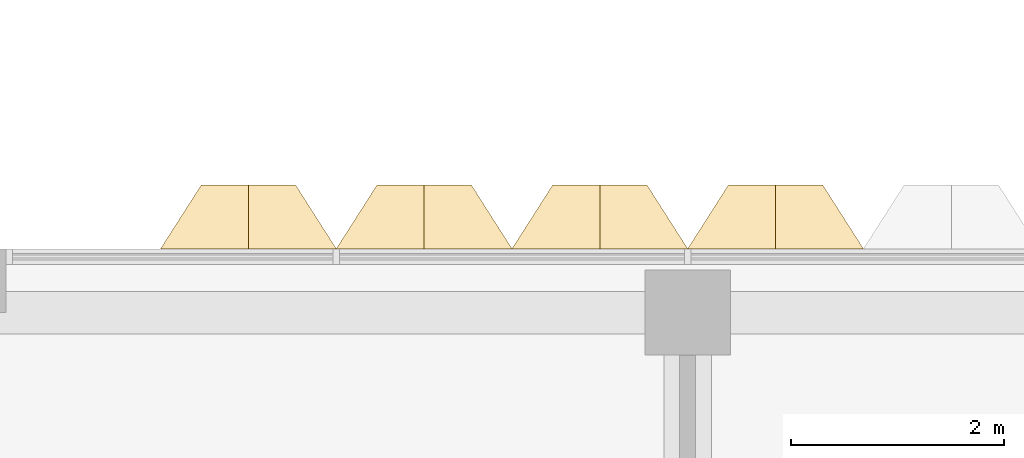
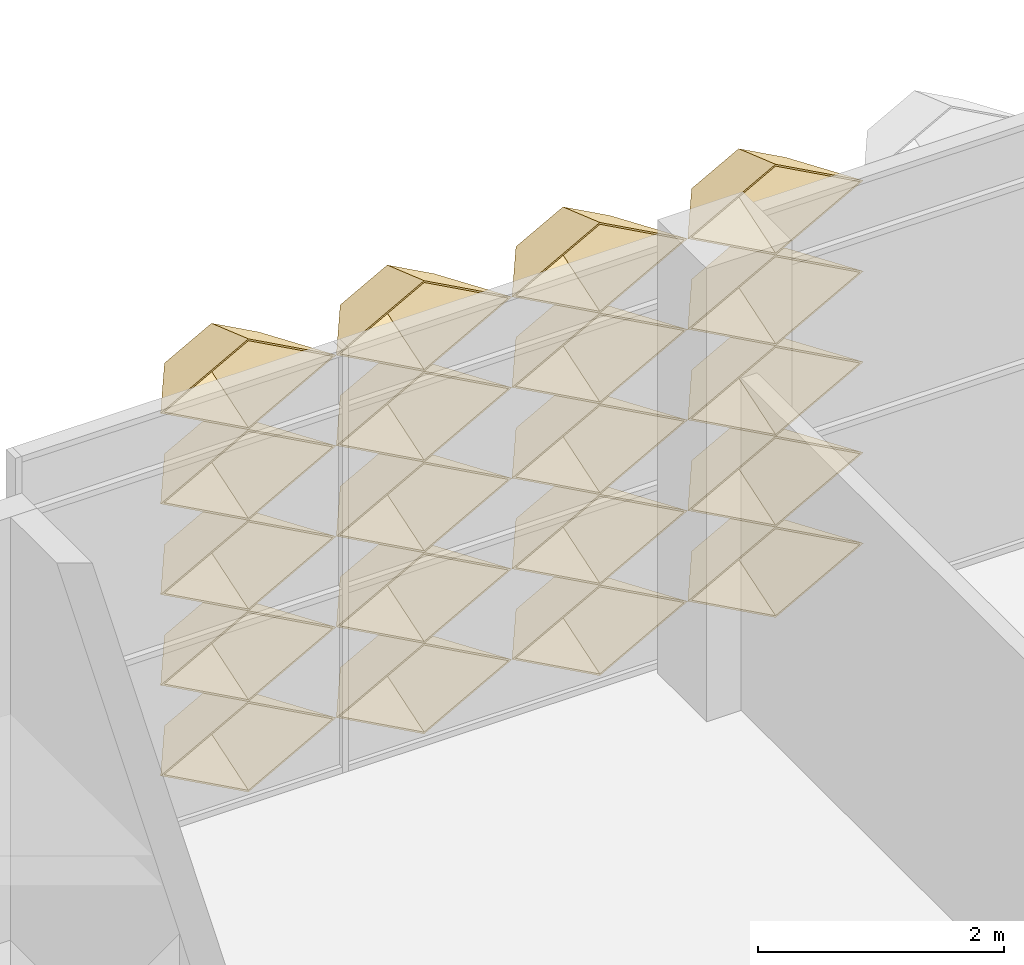
# One storey, part 66 of 102: 20 coverings.
"""IFC4 building model written with IfcOpenShell, lengths in metres."""

from ifc_helpers import new_model, entity, si_unit, direction, frame, origin, place, context, subcontext, project, spatial, material, layer, layer_set, type_object, element, save


model = new_model("IFC4")

# Units and contexts
model_context = context("Model", 3, precision=1e-05, world=origin(), true_north=direction((0.0, 1.0)))
body_context = subcontext(model_context, "Body", "Model", "MODEL_VIEW")
ifc_project = project(units=[si_unit("LENGTHUNIT", "METRE"), si_unit("AREAUNIT", "SQUARE_METRE"), si_unit("VOLUMEUNIT", "CUBIC_METRE"), si_unit("PLANEANGLEUNIT", "RADIAN"), si_unit("MASSUNIT", "GRAM", prefix="KILO")], contexts=[model_context])

# Site, building, storey
site_placement = place(None, origin())
site = spatial("IfcSite", under=ifc_project, at=site_placement, CompositionType="ELEMENT")
building_placement = place(site_placement, origin())
building = spatial("IfcBuilding", under=site, at=building_placement, Name="Lantern Court Research Institute", CompositionType="ELEMENT")
storey_placement = place(building_placement, frame((0.0, 0.0, 9.89990234375)))
storey = spatial("IfcBuildingStorey", under=building, at=storey_placement, Name="L02", CompositionType="ELEMENT", Elevation=9.89990234375)

# Coverings
ifc_material = material(Name="Anodised aluminium", Category="aluminium")
ifc_layer = layer(ifc_material, 0.01611328125)
ifc_layer_set = layer_set([ifc_layer], Name="Anodised aluminium")
covering_type = type_object("IfcCoveringType", Name="Fin cassette 1650 x 900 x 600 aluminium", PredefinedType="CLADDING", material=ifc_layer_set)
covering_1_placement = place(storey_placement, frame((9.074951171875, 23.699951171875, 0.4501953125), z_axis=(0.0, 1.0, 0.0), x_axis=(-1.0, 0.0, 0.0)))
cartesian_point_1 = entity("IfcCartesianPoint", [0.824951171875, 0.0])
cartesian_point_2 = entity("IfcCartesianPoint", [0.79150390625, 0.0])
cartesian_point_3 = entity("IfcCartesianPoint", [0.44189453125, 0.0])
cartesian_point_4 = entity("IfcCartesianPoint", [0.43359375, 0.0])
element("IfcCovering", 1, at=covering_1_placement, inside=storey, type_object=covering_type, Name="Fin cassette V4N-L02 1.6", PredefinedType="CLADDING", context=body_context, shape_type="SweptSolid", body=[
    entity("IfcExtrudedAreaSolidTapered", entity("IfcArbitraryProfileDefWithVoids", "AREA", None, entity("IfcPolyline", [cartesian_point_1, entity("IfcCartesianPoint", [0.0, 0.449951171875]), entity("IfcCartesianPoint", [-0.824951171875, 0.0]), entity("IfcCartesianPoint", [0.0, -0.449951171875]), cartesian_point_1]), [entity("IfcPolyline", [cartesian_point_2, entity("IfcCartesianPoint", [0.0, 0.431884765625]), entity("IfcCartesianPoint", [-0.79150390625, 0.0]), entity("IfcCartesianPoint", [0.0, -0.431884765625]), cartesian_point_2])]), entity("IfcAxis2Placement3D", entity("IfcCartesianPoint", [0.0, 0.0, 0.0])), entity("IfcDirection", [0.0, 0.0, 1.0]), 0.60009765625, entity("IfcArbitraryProfileDefWithVoids", "AREA", None, entity("IfcPolyline", [cartesian_point_3, entity("IfcCartesianPoint", [0.0, 0.240966796875]), entity("IfcCartesianPoint", [-0.44189453125, 0.0]), entity("IfcCartesianPoint", [0.0, -0.240966796875]), cartesian_point_3]), [entity("IfcPolyline", [cartesian_point_4, entity("IfcCartesianPoint", [0.0, 0.236572265625]), entity("IfcCartesianPoint", [-0.43359375, 0.0]), entity("IfcCartesianPoint", [0.0, -0.236572265625]), cartesian_point_4])])),
])
covering_2_placement = place(storey_placement, frame((10.72509765625, 23.699951171875, 0.4501953125), z_axis=(0.0, 1.0, 0.0), x_axis=(-1.0, 0.0, 0.0)))
cartesian_point_5 = entity("IfcCartesianPoint", [0.824951171875, 0.0])
cartesian_point_6 = entity("IfcCartesianPoint", [0.79150390625, 0.0])
cartesian_point_7 = entity("IfcCartesianPoint", [0.44189453125, 0.0])
cartesian_point_8 = entity("IfcCartesianPoint", [0.43359375, 0.0])
element("IfcCovering", 2, at=covering_2_placement, inside=storey, type_object=covering_type, Name="Fin cassette V4N-L02 1.7", PredefinedType="CLADDING", context=body_context, shape_type="SweptSolid", body=[
    entity("IfcExtrudedAreaSolidTapered", entity("IfcArbitraryProfileDefWithVoids", "AREA", None, entity("IfcPolyline", [cartesian_point_5, entity("IfcCartesianPoint", [0.0, 0.449951171875]), entity("IfcCartesianPoint", [-0.824951171875, 0.0]), entity("IfcCartesianPoint", [0.0, -0.449951171875]), cartesian_point_5]), [entity("IfcPolyline", [cartesian_point_6, entity("IfcCartesianPoint", [0.0, 0.431884765625]), entity("IfcCartesianPoint", [-0.79150390625, 0.0]), entity("IfcCartesianPoint", [0.0, -0.431884765625]), cartesian_point_6])]), entity("IfcAxis2Placement3D", entity("IfcCartesianPoint", [0.0, 0.0, 0.0])), entity("IfcDirection", [0.0, 0.0, 1.0]), 0.60009765625, entity("IfcArbitraryProfileDefWithVoids", "AREA", None, entity("IfcPolyline", [cartesian_point_7, entity("IfcCartesianPoint", [0.0, 0.240966796875]), entity("IfcCartesianPoint", [-0.44189453125, 0.0]), entity("IfcCartesianPoint", [0.0, -0.240966796875]), cartesian_point_7]), [entity("IfcPolyline", [cartesian_point_8, entity("IfcCartesianPoint", [0.0, 0.236572265625]), entity("IfcCartesianPoint", [-0.43359375, 0.0]), entity("IfcCartesianPoint", [0.0, -0.236572265625]), cartesian_point_8])])),
])
covering_3_placement = place(storey_placement, frame((12.375, 23.699951171875, 0.4501953125), z_axis=(0.0, 1.0, 0.0), x_axis=(-1.0, 0.0, 0.0)))
cartesian_point_9 = entity("IfcCartesianPoint", [0.824951171875, 0.0])
cartesian_point_10 = entity("IfcCartesianPoint", [0.79150390625, 0.0])
cartesian_point_11 = entity("IfcCartesianPoint", [0.44189453125, 0.0])
cartesian_point_12 = entity("IfcCartesianPoint", [0.43359375, 0.0])
element("IfcCovering", 3, at=covering_3_placement, inside=storey, type_object=covering_type, Name="Fin cassette V4N-L02 1.8", PredefinedType="CLADDING", context=body_context, shape_type="SweptSolid", body=[
    entity("IfcExtrudedAreaSolidTapered", entity("IfcArbitraryProfileDefWithVoids", "AREA", None, entity("IfcPolyline", [cartesian_point_9, entity("IfcCartesianPoint", [0.0, 0.449951171875]), entity("IfcCartesianPoint", [-0.824951171875, 0.0]), entity("IfcCartesianPoint", [0.0, -0.449951171875]), cartesian_point_9]), [entity("IfcPolyline", [cartesian_point_10, entity("IfcCartesianPoint", [0.0, 0.431884765625]), entity("IfcCartesianPoint", [-0.79150390625, 0.0]), entity("IfcCartesianPoint", [0.0, -0.431884765625]), cartesian_point_10])]), entity("IfcAxis2Placement3D", entity("IfcCartesianPoint", [0.0, 0.0, 0.0])), entity("IfcDirection", [0.0, 0.0, 1.0]), 0.60009765625, entity("IfcArbitraryProfileDefWithVoids", "AREA", None, entity("IfcPolyline", [cartesian_point_11, entity("IfcCartesianPoint", [0.0, 0.240966796875]), entity("IfcCartesianPoint", [-0.44189453125, 0.0]), entity("IfcCartesianPoint", [0.0, -0.240966796875]), cartesian_point_11]), [entity("IfcPolyline", [cartesian_point_12, entity("IfcCartesianPoint", [0.0, 0.236572265625]), entity("IfcCartesianPoint", [-0.43359375, 0.0]), entity("IfcCartesianPoint", [0.0, -0.236572265625]), cartesian_point_12])])),
])
covering_4_placement = place(storey_placement, frame((14.02490234375, 23.699951171875, 0.4501953125), z_axis=(0.0, 1.0, 0.0), x_axis=(-1.0, 0.0, 0.0)))
cartesian_point_13 = entity("IfcCartesianPoint", [0.824951171875, 0.0])
cartesian_point_14 = entity("IfcCartesianPoint", [0.79150390625, 0.0])
cartesian_point_15 = entity("IfcCartesianPoint", [0.44189453125, 0.0])
cartesian_point_16 = entity("IfcCartesianPoint", [0.43359375, 0.0])
element("IfcCovering", 4, at=covering_4_placement, inside=storey, type_object=covering_type, Name="Fin cassette V4N-L02 1.9", PredefinedType="CLADDING", context=body_context, shape_type="SweptSolid", body=[
    entity("IfcExtrudedAreaSolidTapered", entity("IfcArbitraryProfileDefWithVoids", "AREA", None, entity("IfcPolyline", [cartesian_point_13, entity("IfcCartesianPoint", [0.0, 0.449951171875]), entity("IfcCartesianPoint", [-0.824951171875, 0.0]), entity("IfcCartesianPoint", [0.0, -0.449951171875]), cartesian_point_13]), [entity("IfcPolyline", [cartesian_point_14, entity("IfcCartesianPoint", [0.0, 0.431884765625]), entity("IfcCartesianPoint", [-0.79150390625, 0.0]), entity("IfcCartesianPoint", [0.0, -0.431884765625]), cartesian_point_14])]), entity("IfcAxis2Placement3D", entity("IfcCartesianPoint", [0.0, 0.0, 0.0])), entity("IfcDirection", [0.0, 0.0, 1.0]), 0.60009765625, entity("IfcArbitraryProfileDefWithVoids", "AREA", None, entity("IfcPolyline", [cartesian_point_15, entity("IfcCartesianPoint", [0.0, 0.240966796875]), entity("IfcCartesianPoint", [-0.44189453125, 0.0]), entity("IfcCartesianPoint", [0.0, -0.240966796875]), cartesian_point_15]), [entity("IfcPolyline", [cartesian_point_16, entity("IfcCartesianPoint", [0.0, 0.236572265625]), entity("IfcCartesianPoint", [-0.43359375, 0.0]), entity("IfcCartesianPoint", [0.0, -0.236572265625]), cartesian_point_16])])),
])
covering_5_placement = place(storey_placement, frame((9.074951171875, 23.699951171875, 1.35009765625), z_axis=(0.0, 1.0, 0.0), x_axis=(-1.0, 0.0, 0.0)))
cartesian_point_17 = entity("IfcCartesianPoint", [0.824951171875, 0.0])
cartesian_point_18 = entity("IfcCartesianPoint", [0.79150390625, 0.0])
cartesian_point_19 = entity("IfcCartesianPoint", [0.44189453125, 0.0])
cartesian_point_20 = entity("IfcCartesianPoint", [0.43359375, 0.0])
element("IfcCovering", 5, at=covering_5_placement, inside=storey, type_object=covering_type, Name="Fin cassette V4N-L02 2.6", PredefinedType="CLADDING", context=body_context, shape_type="SweptSolid", body=[
    entity("IfcExtrudedAreaSolidTapered", entity("IfcArbitraryProfileDefWithVoids", "AREA", None, entity("IfcPolyline", [cartesian_point_17, entity("IfcCartesianPoint", [0.0, 0.449951171875]), entity("IfcCartesianPoint", [-0.824951171875, 0.0]), entity("IfcCartesianPoint", [0.0, -0.449951171875]), cartesian_point_17]), [entity("IfcPolyline", [cartesian_point_18, entity("IfcCartesianPoint", [0.0, 0.431884765625]), entity("IfcCartesianPoint", [-0.79150390625, 0.0]), entity("IfcCartesianPoint", [0.0, -0.431884765625]), cartesian_point_18])]), entity("IfcAxis2Placement3D", entity("IfcCartesianPoint", [0.0, 0.0, 0.0])), entity("IfcDirection", [0.0, 0.0, 1.0]), 0.60009765625, entity("IfcArbitraryProfileDefWithVoids", "AREA", None, entity("IfcPolyline", [cartesian_point_19, entity("IfcCartesianPoint", [0.0, 0.240966796875]), entity("IfcCartesianPoint", [-0.44189453125, 0.0]), entity("IfcCartesianPoint", [0.0, -0.240966796875]), cartesian_point_19]), [entity("IfcPolyline", [cartesian_point_20, entity("IfcCartesianPoint", [0.0, 0.236572265625]), entity("IfcCartesianPoint", [-0.43359375, 0.0]), entity("IfcCartesianPoint", [0.0, -0.236572265625]), cartesian_point_20])])),
])
covering_6_placement = place(storey_placement, frame((10.72509765625, 23.699951171875, 1.35009765625), z_axis=(0.0, 1.0, 0.0), x_axis=(-1.0, 0.0, 0.0)))
cartesian_point_21 = entity("IfcCartesianPoint", [0.824951171875, 0.0])
cartesian_point_22 = entity("IfcCartesianPoint", [0.79150390625, 0.0])
cartesian_point_23 = entity("IfcCartesianPoint", [0.44189453125, 0.0])
cartesian_point_24 = entity("IfcCartesianPoint", [0.43359375, 0.0])
element("IfcCovering", 6, at=covering_6_placement, inside=storey, type_object=covering_type, Name="Fin cassette V4N-L02 2.7", PredefinedType="CLADDING", context=body_context, shape_type="SweptSolid", body=[
    entity("IfcExtrudedAreaSolidTapered", entity("IfcArbitraryProfileDefWithVoids", "AREA", None, entity("IfcPolyline", [cartesian_point_21, entity("IfcCartesianPoint", [0.0, 0.449951171875]), entity("IfcCartesianPoint", [-0.824951171875, 0.0]), entity("IfcCartesianPoint", [0.0, -0.449951171875]), cartesian_point_21]), [entity("IfcPolyline", [cartesian_point_22, entity("IfcCartesianPoint", [0.0, 0.431884765625]), entity("IfcCartesianPoint", [-0.79150390625, 0.0]), entity("IfcCartesianPoint", [0.0, -0.431884765625]), cartesian_point_22])]), entity("IfcAxis2Placement3D", entity("IfcCartesianPoint", [0.0, 0.0, 0.0])), entity("IfcDirection", [0.0, 0.0, 1.0]), 0.60009765625, entity("IfcArbitraryProfileDefWithVoids", "AREA", None, entity("IfcPolyline", [cartesian_point_23, entity("IfcCartesianPoint", [0.0, 0.240966796875]), entity("IfcCartesianPoint", [-0.44189453125, 0.0]), entity("IfcCartesianPoint", [0.0, -0.240966796875]), cartesian_point_23]), [entity("IfcPolyline", [cartesian_point_24, entity("IfcCartesianPoint", [0.0, 0.236572265625]), entity("IfcCartesianPoint", [-0.43359375, 0.0]), entity("IfcCartesianPoint", [0.0, -0.236572265625]), cartesian_point_24])])),
])
covering_7_placement = place(storey_placement, frame((12.375, 23.699951171875, 1.35009765625), z_axis=(0.0, 1.0, 0.0), x_axis=(-1.0, 0.0, 0.0)))
cartesian_point_25 = entity("IfcCartesianPoint", [0.824951171875, 0.0])
cartesian_point_26 = entity("IfcCartesianPoint", [0.79150390625, 0.0])
cartesian_point_27 = entity("IfcCartesianPoint", [0.44189453125, 0.0])
cartesian_point_28 = entity("IfcCartesianPoint", [0.43359375, 0.0])
element("IfcCovering", 7, at=covering_7_placement, inside=storey, type_object=covering_type, Name="Fin cassette V4N-L02 2.8", PredefinedType="CLADDING", context=body_context, shape_type="SweptSolid", body=[
    entity("IfcExtrudedAreaSolidTapered", entity("IfcArbitraryProfileDefWithVoids", "AREA", None, entity("IfcPolyline", [cartesian_point_25, entity("IfcCartesianPoint", [0.0, 0.449951171875]), entity("IfcCartesianPoint", [-0.824951171875, 0.0]), entity("IfcCartesianPoint", [0.0, -0.449951171875]), cartesian_point_25]), [entity("IfcPolyline", [cartesian_point_26, entity("IfcCartesianPoint", [0.0, 0.431884765625]), entity("IfcCartesianPoint", [-0.79150390625, 0.0]), entity("IfcCartesianPoint", [0.0, -0.431884765625]), cartesian_point_26])]), entity("IfcAxis2Placement3D", entity("IfcCartesianPoint", [0.0, 0.0, 0.0])), entity("IfcDirection", [0.0, 0.0, 1.0]), 0.60009765625, entity("IfcArbitraryProfileDefWithVoids", "AREA", None, entity("IfcPolyline", [cartesian_point_27, entity("IfcCartesianPoint", [0.0, 0.240966796875]), entity("IfcCartesianPoint", [-0.44189453125, 0.0]), entity("IfcCartesianPoint", [0.0, -0.240966796875]), cartesian_point_27]), [entity("IfcPolyline", [cartesian_point_28, entity("IfcCartesianPoint", [0.0, 0.236572265625]), entity("IfcCartesianPoint", [-0.43359375, 0.0]), entity("IfcCartesianPoint", [0.0, -0.236572265625]), cartesian_point_28])])),
])
covering_8_placement = place(storey_placement, frame((14.02490234375, 23.699951171875, 1.35009765625), z_axis=(0.0, 1.0, 0.0), x_axis=(-1.0, 0.0, 0.0)))
cartesian_point_29 = entity("IfcCartesianPoint", [0.824951171875, 0.0])
cartesian_point_30 = entity("IfcCartesianPoint", [0.79150390625, 0.0])
cartesian_point_31 = entity("IfcCartesianPoint", [0.44189453125, 0.0])
cartesian_point_32 = entity("IfcCartesianPoint", [0.43359375, 0.0])
element("IfcCovering", 8, at=covering_8_placement, inside=storey, type_object=covering_type, Name="Fin cassette V4N-L02 2.9", PredefinedType="CLADDING", context=body_context, shape_type="SweptSolid", body=[
    entity("IfcExtrudedAreaSolidTapered", entity("IfcArbitraryProfileDefWithVoids", "AREA", None, entity("IfcPolyline", [cartesian_point_29, entity("IfcCartesianPoint", [0.0, 0.449951171875]), entity("IfcCartesianPoint", [-0.824951171875, 0.0]), entity("IfcCartesianPoint", [0.0, -0.449951171875]), cartesian_point_29]), [entity("IfcPolyline", [cartesian_point_30, entity("IfcCartesianPoint", [0.0, 0.431884765625]), entity("IfcCartesianPoint", [-0.79150390625, 0.0]), entity("IfcCartesianPoint", [0.0, -0.431884765625]), cartesian_point_30])]), entity("IfcAxis2Placement3D", entity("IfcCartesianPoint", [0.0, 0.0, 0.0])), entity("IfcDirection", [0.0, 0.0, 1.0]), 0.60009765625, entity("IfcArbitraryProfileDefWithVoids", "AREA", None, entity("IfcPolyline", [cartesian_point_31, entity("IfcCartesianPoint", [0.0, 0.240966796875]), entity("IfcCartesianPoint", [-0.44189453125, 0.0]), entity("IfcCartesianPoint", [0.0, -0.240966796875]), cartesian_point_31]), [entity("IfcPolyline", [cartesian_point_32, entity("IfcCartesianPoint", [0.0, 0.236572265625]), entity("IfcCartesianPoint", [-0.43359375, 0.0]), entity("IfcCartesianPoint", [0.0, -0.236572265625]), cartesian_point_32])])),
])
covering_9_placement = place(storey_placement, frame((9.074951171875, 23.699951171875, 2.25), z_axis=(0.0, 1.0, 0.0), x_axis=(-1.0, 0.0, 0.0)))
cartesian_point_33 = entity("IfcCartesianPoint", [0.824951171875, 0.0])
cartesian_point_34 = entity("IfcCartesianPoint", [0.79150390625, 0.0])
cartesian_point_35 = entity("IfcCartesianPoint", [0.44189453125, 0.0])
cartesian_point_36 = entity("IfcCartesianPoint", [0.43359375, 0.0])
element("IfcCovering", 9, at=covering_9_placement, inside=storey, type_object=covering_type, Name="Fin cassette V4N-L02 3.6", PredefinedType="CLADDING", context=body_context, shape_type="SweptSolid", body=[
    entity("IfcExtrudedAreaSolidTapered", entity("IfcArbitraryProfileDefWithVoids", "AREA", None, entity("IfcPolyline", [cartesian_point_33, entity("IfcCartesianPoint", [0.0, 0.449951171875]), entity("IfcCartesianPoint", [-0.824951171875, 0.0]), entity("IfcCartesianPoint", [0.0, -0.449951171875]), cartesian_point_33]), [entity("IfcPolyline", [cartesian_point_34, entity("IfcCartesianPoint", [0.0, 0.431884765625]), entity("IfcCartesianPoint", [-0.79150390625, 0.0]), entity("IfcCartesianPoint", [0.0, -0.431884765625]), cartesian_point_34])]), entity("IfcAxis2Placement3D", entity("IfcCartesianPoint", [0.0, 0.0, 0.0])), entity("IfcDirection", [0.0, 0.0, 1.0]), 0.60009765625, entity("IfcArbitraryProfileDefWithVoids", "AREA", None, entity("IfcPolyline", [cartesian_point_35, entity("IfcCartesianPoint", [0.0, 0.240966796875]), entity("IfcCartesianPoint", [-0.44189453125, 0.0]), entity("IfcCartesianPoint", [0.0, -0.240966796875]), cartesian_point_35]), [entity("IfcPolyline", [cartesian_point_36, entity("IfcCartesianPoint", [0.0, 0.236572265625]), entity("IfcCartesianPoint", [-0.43359375, 0.0]), entity("IfcCartesianPoint", [0.0, -0.236572265625]), cartesian_point_36])])),
])
covering_10_placement = place(storey_placement, frame((10.72509765625, 23.699951171875, 2.25), z_axis=(0.0, 1.0, 0.0), x_axis=(-1.0, 0.0, 0.0)))
cartesian_point_37 = entity("IfcCartesianPoint", [0.824951171875, 0.0])
cartesian_point_38 = entity("IfcCartesianPoint", [0.79150390625, 0.0])
cartesian_point_39 = entity("IfcCartesianPoint", [0.44189453125, 0.0])
cartesian_point_40 = entity("IfcCartesianPoint", [0.43359375, 0.0])
element("IfcCovering", 10, at=covering_10_placement, inside=storey, type_object=covering_type, Name="Fin cassette V4N-L02 3.7", PredefinedType="CLADDING", context=body_context, shape_type="SweptSolid", body=[
    entity("IfcExtrudedAreaSolidTapered", entity("IfcArbitraryProfileDefWithVoids", "AREA", None, entity("IfcPolyline", [cartesian_point_37, entity("IfcCartesianPoint", [0.0, 0.449951171875]), entity("IfcCartesianPoint", [-0.824951171875, 0.0]), entity("IfcCartesianPoint", [0.0, -0.449951171875]), cartesian_point_37]), [entity("IfcPolyline", [cartesian_point_38, entity("IfcCartesianPoint", [0.0, 0.431884765625]), entity("IfcCartesianPoint", [-0.79150390625, 0.0]), entity("IfcCartesianPoint", [0.0, -0.431884765625]), cartesian_point_38])]), entity("IfcAxis2Placement3D", entity("IfcCartesianPoint", [0.0, 0.0, 0.0])), entity("IfcDirection", [0.0, 0.0, 1.0]), 0.60009765625, entity("IfcArbitraryProfileDefWithVoids", "AREA", None, entity("IfcPolyline", [cartesian_point_39, entity("IfcCartesianPoint", [0.0, 0.240966796875]), entity("IfcCartesianPoint", [-0.44189453125, 0.0]), entity("IfcCartesianPoint", [0.0, -0.240966796875]), cartesian_point_39]), [entity("IfcPolyline", [cartesian_point_40, entity("IfcCartesianPoint", [0.0, 0.236572265625]), entity("IfcCartesianPoint", [-0.43359375, 0.0]), entity("IfcCartesianPoint", [0.0, -0.236572265625]), cartesian_point_40])])),
])
covering_11_placement = place(storey_placement, frame((12.375, 23.699951171875, 2.25), z_axis=(0.0, 1.0, 0.0), x_axis=(-1.0, 0.0, 0.0)))
cartesian_point_41 = entity("IfcCartesianPoint", [0.824951171875, 0.0])
cartesian_point_42 = entity("IfcCartesianPoint", [0.79150390625, 0.0])
cartesian_point_43 = entity("IfcCartesianPoint", [0.44189453125, 0.0])
cartesian_point_44 = entity("IfcCartesianPoint", [0.43359375, 0.0])
element("IfcCovering", 11, at=covering_11_placement, inside=storey, type_object=covering_type, Name="Fin cassette V4N-L02 3.8", PredefinedType="CLADDING", context=body_context, shape_type="SweptSolid", body=[
    entity("IfcExtrudedAreaSolidTapered", entity("IfcArbitraryProfileDefWithVoids", "AREA", None, entity("IfcPolyline", [cartesian_point_41, entity("IfcCartesianPoint", [0.0, 0.449951171875]), entity("IfcCartesianPoint", [-0.824951171875, 0.0]), entity("IfcCartesianPoint", [0.0, -0.449951171875]), cartesian_point_41]), [entity("IfcPolyline", [cartesian_point_42, entity("IfcCartesianPoint", [0.0, 0.431884765625]), entity("IfcCartesianPoint", [-0.79150390625, 0.0]), entity("IfcCartesianPoint", [0.0, -0.431884765625]), cartesian_point_42])]), entity("IfcAxis2Placement3D", entity("IfcCartesianPoint", [0.0, 0.0, 0.0])), entity("IfcDirection", [0.0, 0.0, 1.0]), 0.60009765625, entity("IfcArbitraryProfileDefWithVoids", "AREA", None, entity("IfcPolyline", [cartesian_point_43, entity("IfcCartesianPoint", [0.0, 0.240966796875]), entity("IfcCartesianPoint", [-0.44189453125, 0.0]), entity("IfcCartesianPoint", [0.0, -0.240966796875]), cartesian_point_43]), [entity("IfcPolyline", [cartesian_point_44, entity("IfcCartesianPoint", [0.0, 0.236572265625]), entity("IfcCartesianPoint", [-0.43359375, 0.0]), entity("IfcCartesianPoint", [0.0, -0.236572265625]), cartesian_point_44])])),
])
covering_12_placement = place(storey_placement, frame((14.02490234375, 23.699951171875, 2.25), z_axis=(0.0, 1.0, 0.0), x_axis=(-1.0, 0.0, 0.0)))
cartesian_point_45 = entity("IfcCartesianPoint", [0.824951171875, 0.0])
cartesian_point_46 = entity("IfcCartesianPoint", [0.79150390625, 0.0])
cartesian_point_47 = entity("IfcCartesianPoint", [0.44189453125, 0.0])
cartesian_point_48 = entity("IfcCartesianPoint", [0.43359375, 0.0])
element("IfcCovering", 12, at=covering_12_placement, inside=storey, type_object=covering_type, Name="Fin cassette V4N-L02 3.9", PredefinedType="CLADDING", context=body_context, shape_type="SweptSolid", body=[
    entity("IfcExtrudedAreaSolidTapered", entity("IfcArbitraryProfileDefWithVoids", "AREA", None, entity("IfcPolyline", [cartesian_point_45, entity("IfcCartesianPoint", [0.0, 0.449951171875]), entity("IfcCartesianPoint", [-0.824951171875, 0.0]), entity("IfcCartesianPoint", [0.0, -0.449951171875]), cartesian_point_45]), [entity("IfcPolyline", [cartesian_point_46, entity("IfcCartesianPoint", [0.0, 0.431884765625]), entity("IfcCartesianPoint", [-0.79150390625, 0.0]), entity("IfcCartesianPoint", [0.0, -0.431884765625]), cartesian_point_46])]), entity("IfcAxis2Placement3D", entity("IfcCartesianPoint", [0.0, 0.0, 0.0])), entity("IfcDirection", [0.0, 0.0, 1.0]), 0.60009765625, entity("IfcArbitraryProfileDefWithVoids", "AREA", None, entity("IfcPolyline", [cartesian_point_47, entity("IfcCartesianPoint", [0.0, 0.240966796875]), entity("IfcCartesianPoint", [-0.44189453125, 0.0]), entity("IfcCartesianPoint", [0.0, -0.240966796875]), cartesian_point_47]), [entity("IfcPolyline", [cartesian_point_48, entity("IfcCartesianPoint", [0.0, 0.236572265625]), entity("IfcCartesianPoint", [-0.43359375, 0.0]), entity("IfcCartesianPoint", [0.0, -0.236572265625]), cartesian_point_48])])),
])
covering_13_placement = place(storey_placement, frame((9.074951171875, 23.699951171875, 3.150146484375), z_axis=(0.0, 1.0, 0.0), x_axis=(-1.0, 0.0, 0.0)))
cartesian_point_49 = entity("IfcCartesianPoint", [0.824951171875, 0.0])
cartesian_point_50 = entity("IfcCartesianPoint", [0.79150390625, 0.0])
cartesian_point_51 = entity("IfcCartesianPoint", [0.44189453125, 0.0])
cartesian_point_52 = entity("IfcCartesianPoint", [0.43359375, 0.0])
element("IfcCovering", 13, at=covering_13_placement, inside=storey, type_object=covering_type, Name="Fin cassette V4N-L02 4.6", PredefinedType="CLADDING", context=body_context, shape_type="SweptSolid", body=[
    entity("IfcExtrudedAreaSolidTapered", entity("IfcArbitraryProfileDefWithVoids", "AREA", None, entity("IfcPolyline", [cartesian_point_49, entity("IfcCartesianPoint", [0.0, 0.449951171875]), entity("IfcCartesianPoint", [-0.824951171875, 0.0]), entity("IfcCartesianPoint", [0.0, -0.449951171875]), cartesian_point_49]), [entity("IfcPolyline", [cartesian_point_50, entity("IfcCartesianPoint", [0.0, 0.431884765625]), entity("IfcCartesianPoint", [-0.79150390625, 0.0]), entity("IfcCartesianPoint", [0.0, -0.431884765625]), cartesian_point_50])]), entity("IfcAxis2Placement3D", entity("IfcCartesianPoint", [0.0, 0.0, 0.0])), entity("IfcDirection", [0.0, 0.0, 1.0]), 0.60009765625, entity("IfcArbitraryProfileDefWithVoids", "AREA", None, entity("IfcPolyline", [cartesian_point_51, entity("IfcCartesianPoint", [0.0, 0.240966796875]), entity("IfcCartesianPoint", [-0.44189453125, 0.0]), entity("IfcCartesianPoint", [0.0, -0.240966796875]), cartesian_point_51]), [entity("IfcPolyline", [cartesian_point_52, entity("IfcCartesianPoint", [0.0, 0.236572265625]), entity("IfcCartesianPoint", [-0.43359375, 0.0]), entity("IfcCartesianPoint", [0.0, -0.236572265625]), cartesian_point_52])])),
])
covering_14_placement = place(storey_placement, frame((10.72509765625, 23.699951171875, 3.150146484375), z_axis=(0.0, 1.0, 0.0), x_axis=(-1.0, 0.0, 0.0)))
cartesian_point_53 = entity("IfcCartesianPoint", [0.824951171875, 0.0])
cartesian_point_54 = entity("IfcCartesianPoint", [0.79150390625, 0.0])
cartesian_point_55 = entity("IfcCartesianPoint", [0.44189453125, 0.0])
cartesian_point_56 = entity("IfcCartesianPoint", [0.43359375, 0.0])
element("IfcCovering", 14, at=covering_14_placement, inside=storey, type_object=covering_type, Name="Fin cassette V4N-L02 4.7", PredefinedType="CLADDING", context=body_context, shape_type="SweptSolid", body=[
    entity("IfcExtrudedAreaSolidTapered", entity("IfcArbitraryProfileDefWithVoids", "AREA", None, entity("IfcPolyline", [cartesian_point_53, entity("IfcCartesianPoint", [0.0, 0.449951171875]), entity("IfcCartesianPoint", [-0.824951171875, 0.0]), entity("IfcCartesianPoint", [0.0, -0.449951171875]), cartesian_point_53]), [entity("IfcPolyline", [cartesian_point_54, entity("IfcCartesianPoint", [0.0, 0.431884765625]), entity("IfcCartesianPoint", [-0.79150390625, 0.0]), entity("IfcCartesianPoint", [0.0, -0.431884765625]), cartesian_point_54])]), entity("IfcAxis2Placement3D", entity("IfcCartesianPoint", [0.0, 0.0, 0.0])), entity("IfcDirection", [0.0, 0.0, 1.0]), 0.60009765625, entity("IfcArbitraryProfileDefWithVoids", "AREA", None, entity("IfcPolyline", [cartesian_point_55, entity("IfcCartesianPoint", [0.0, 0.240966796875]), entity("IfcCartesianPoint", [-0.44189453125, 0.0]), entity("IfcCartesianPoint", [0.0, -0.240966796875]), cartesian_point_55]), [entity("IfcPolyline", [cartesian_point_56, entity("IfcCartesianPoint", [0.0, 0.236572265625]), entity("IfcCartesianPoint", [-0.43359375, 0.0]), entity("IfcCartesianPoint", [0.0, -0.236572265625]), cartesian_point_56])])),
])
covering_15_placement = place(storey_placement, frame((12.375, 23.699951171875, 3.150146484375), z_axis=(0.0, 1.0, 0.0), x_axis=(-1.0, 0.0, 0.0)))
cartesian_point_57 = entity("IfcCartesianPoint", [0.824951171875, 0.0])
cartesian_point_58 = entity("IfcCartesianPoint", [0.79150390625, 0.0])
cartesian_point_59 = entity("IfcCartesianPoint", [0.44189453125, 0.0])
cartesian_point_60 = entity("IfcCartesianPoint", [0.43359375, 0.0])
element("IfcCovering", 15, at=covering_15_placement, inside=storey, type_object=covering_type, Name="Fin cassette V4N-L02 4.8", PredefinedType="CLADDING", context=body_context, shape_type="SweptSolid", body=[
    entity("IfcExtrudedAreaSolidTapered", entity("IfcArbitraryProfileDefWithVoids", "AREA", None, entity("IfcPolyline", [cartesian_point_57, entity("IfcCartesianPoint", [0.0, 0.449951171875]), entity("IfcCartesianPoint", [-0.824951171875, 0.0]), entity("IfcCartesianPoint", [0.0, -0.449951171875]), cartesian_point_57]), [entity("IfcPolyline", [cartesian_point_58, entity("IfcCartesianPoint", [0.0, 0.431884765625]), entity("IfcCartesianPoint", [-0.79150390625, 0.0]), entity("IfcCartesianPoint", [0.0, -0.431884765625]), cartesian_point_58])]), entity("IfcAxis2Placement3D", entity("IfcCartesianPoint", [0.0, 0.0, 0.0])), entity("IfcDirection", [0.0, 0.0, 1.0]), 0.60009765625, entity("IfcArbitraryProfileDefWithVoids", "AREA", None, entity("IfcPolyline", [cartesian_point_59, entity("IfcCartesianPoint", [0.0, 0.240966796875]), entity("IfcCartesianPoint", [-0.44189453125, 0.0]), entity("IfcCartesianPoint", [0.0, -0.240966796875]), cartesian_point_59]), [entity("IfcPolyline", [cartesian_point_60, entity("IfcCartesianPoint", [0.0, 0.236572265625]), entity("IfcCartesianPoint", [-0.43359375, 0.0]), entity("IfcCartesianPoint", [0.0, -0.236572265625]), cartesian_point_60])])),
])
covering_16_placement = place(storey_placement, frame((14.02490234375, 23.699951171875, 3.150146484375), z_axis=(0.0, 1.0, 0.0), x_axis=(-1.0, 0.0, 0.0)))
cartesian_point_61 = entity("IfcCartesianPoint", [0.824951171875, 0.0])
cartesian_point_62 = entity("IfcCartesianPoint", [0.79150390625, 0.0])
cartesian_point_63 = entity("IfcCartesianPoint", [0.44189453125, 0.0])
cartesian_point_64 = entity("IfcCartesianPoint", [0.43359375, 0.0])
element("IfcCovering", 16, at=covering_16_placement, inside=storey, type_object=covering_type, Name="Fin cassette V4N-L02 4.9", PredefinedType="CLADDING", context=body_context, shape_type="SweptSolid", body=[
    entity("IfcExtrudedAreaSolidTapered", entity("IfcArbitraryProfileDefWithVoids", "AREA", None, entity("IfcPolyline", [cartesian_point_61, entity("IfcCartesianPoint", [0.0, 0.449951171875]), entity("IfcCartesianPoint", [-0.824951171875, 0.0]), entity("IfcCartesianPoint", [0.0, -0.449951171875]), cartesian_point_61]), [entity("IfcPolyline", [cartesian_point_62, entity("IfcCartesianPoint", [0.0, 0.431884765625]), entity("IfcCartesianPoint", [-0.79150390625, 0.0]), entity("IfcCartesianPoint", [0.0, -0.431884765625]), cartesian_point_62])]), entity("IfcAxis2Placement3D", entity("IfcCartesianPoint", [0.0, 0.0, 0.0])), entity("IfcDirection", [0.0, 0.0, 1.0]), 0.60009765625, entity("IfcArbitraryProfileDefWithVoids", "AREA", None, entity("IfcPolyline", [cartesian_point_63, entity("IfcCartesianPoint", [0.0, 0.240966796875]), entity("IfcCartesianPoint", [-0.44189453125, 0.0]), entity("IfcCartesianPoint", [0.0, -0.240966796875]), cartesian_point_63]), [entity("IfcPolyline", [cartesian_point_64, entity("IfcCartesianPoint", [0.0, 0.236572265625]), entity("IfcCartesianPoint", [-0.43359375, 0.0]), entity("IfcCartesianPoint", [0.0, -0.236572265625]), cartesian_point_64])])),
])
covering_17_placement = place(storey_placement, frame((9.074951171875, 23.699951171875, 4.050048828125), z_axis=(0.0, 1.0, 0.0), x_axis=(-1.0, 0.0, 0.0)))
cartesian_point_65 = entity("IfcCartesianPoint", [0.824951171875, 0.0])
cartesian_point_66 = entity("IfcCartesianPoint", [0.79150390625, 0.0])
cartesian_point_67 = entity("IfcCartesianPoint", [0.44189453125, 0.0])
cartesian_point_68 = entity("IfcCartesianPoint", [0.43359375, 0.0])
element("IfcCovering", 17, at=covering_17_placement, inside=storey, type_object=covering_type, Name="Fin cassette V4N-L02 5.6", PredefinedType="CLADDING", context=body_context, shape_type="SweptSolid", body=[
    entity("IfcExtrudedAreaSolidTapered", entity("IfcArbitraryProfileDefWithVoids", "AREA", None, entity("IfcPolyline", [cartesian_point_65, entity("IfcCartesianPoint", [0.0, 0.449951171875]), entity("IfcCartesianPoint", [-0.824951171875, 0.0]), entity("IfcCartesianPoint", [0.0, -0.449951171875]), cartesian_point_65]), [entity("IfcPolyline", [cartesian_point_66, entity("IfcCartesianPoint", [0.0, 0.431884765625]), entity("IfcCartesianPoint", [-0.79150390625, 0.0]), entity("IfcCartesianPoint", [0.0, -0.431884765625]), cartesian_point_66])]), entity("IfcAxis2Placement3D", entity("IfcCartesianPoint", [0.0, 0.0, 0.0])), entity("IfcDirection", [0.0, 0.0, 1.0]), 0.60009765625, entity("IfcArbitraryProfileDefWithVoids", "AREA", None, entity("IfcPolyline", [cartesian_point_67, entity("IfcCartesianPoint", [0.0, 0.240966796875]), entity("IfcCartesianPoint", [-0.44189453125, 0.0]), entity("IfcCartesianPoint", [0.0, -0.240966796875]), cartesian_point_67]), [entity("IfcPolyline", [cartesian_point_68, entity("IfcCartesianPoint", [0.0, 0.236572265625]), entity("IfcCartesianPoint", [-0.43359375, 0.0]), entity("IfcCartesianPoint", [0.0, -0.236572265625]), cartesian_point_68])])),
])
covering_18_placement = place(storey_placement, frame((10.72509765625, 23.699951171875, 4.050048828125), z_axis=(0.0, 1.0, 0.0), x_axis=(-1.0, 0.0, 0.0)))
cartesian_point_69 = entity("IfcCartesianPoint", [0.824951171875, 0.0])
cartesian_point_70 = entity("IfcCartesianPoint", [0.79150390625, 0.0])
cartesian_point_71 = entity("IfcCartesianPoint", [0.44189453125, 0.0])
cartesian_point_72 = entity("IfcCartesianPoint", [0.43359375, 0.0])
element("IfcCovering", 18, at=covering_18_placement, inside=storey, type_object=covering_type, Name="Fin cassette V4N-L02 5.7", PredefinedType="CLADDING", context=body_context, shape_type="SweptSolid", body=[
    entity("IfcExtrudedAreaSolidTapered", entity("IfcArbitraryProfileDefWithVoids", "AREA", None, entity("IfcPolyline", [cartesian_point_69, entity("IfcCartesianPoint", [0.0, 0.449951171875]), entity("IfcCartesianPoint", [-0.824951171875, 0.0]), entity("IfcCartesianPoint", [0.0, -0.449951171875]), cartesian_point_69]), [entity("IfcPolyline", [cartesian_point_70, entity("IfcCartesianPoint", [0.0, 0.431884765625]), entity("IfcCartesianPoint", [-0.79150390625, 0.0]), entity("IfcCartesianPoint", [0.0, -0.431884765625]), cartesian_point_70])]), entity("IfcAxis2Placement3D", entity("IfcCartesianPoint", [0.0, 0.0, 0.0])), entity("IfcDirection", [0.0, 0.0, 1.0]), 0.60009765625, entity("IfcArbitraryProfileDefWithVoids", "AREA", None, entity("IfcPolyline", [cartesian_point_71, entity("IfcCartesianPoint", [0.0, 0.240966796875]), entity("IfcCartesianPoint", [-0.44189453125, 0.0]), entity("IfcCartesianPoint", [0.0, -0.240966796875]), cartesian_point_71]), [entity("IfcPolyline", [cartesian_point_72, entity("IfcCartesianPoint", [0.0, 0.236572265625]), entity("IfcCartesianPoint", [-0.43359375, 0.0]), entity("IfcCartesianPoint", [0.0, -0.236572265625]), cartesian_point_72])])),
])
covering_19_placement = place(storey_placement, frame((12.375, 23.699951171875, 4.050048828125), z_axis=(0.0, 1.0, 0.0), x_axis=(-1.0, 0.0, 0.0)))
cartesian_point_73 = entity("IfcCartesianPoint", [0.824951171875, 0.0])
cartesian_point_74 = entity("IfcCartesianPoint", [0.79150390625, 0.0])
cartesian_point_75 = entity("IfcCartesianPoint", [0.44189453125, 0.0])
cartesian_point_76 = entity("IfcCartesianPoint", [0.43359375, 0.0])
element("IfcCovering", 19, at=covering_19_placement, inside=storey, type_object=covering_type, Name="Fin cassette V4N-L02 5.8", PredefinedType="CLADDING", context=body_context, shape_type="SweptSolid", body=[
    entity("IfcExtrudedAreaSolidTapered", entity("IfcArbitraryProfileDefWithVoids", "AREA", None, entity("IfcPolyline", [cartesian_point_73, entity("IfcCartesianPoint", [0.0, 0.449951171875]), entity("IfcCartesianPoint", [-0.824951171875, 0.0]), entity("IfcCartesianPoint", [0.0, -0.449951171875]), cartesian_point_73]), [entity("IfcPolyline", [cartesian_point_74, entity("IfcCartesianPoint", [0.0, 0.431884765625]), entity("IfcCartesianPoint", [-0.79150390625, 0.0]), entity("IfcCartesianPoint", [0.0, -0.431884765625]), cartesian_point_74])]), entity("IfcAxis2Placement3D", entity("IfcCartesianPoint", [0.0, 0.0, 0.0])), entity("IfcDirection", [0.0, 0.0, 1.0]), 0.60009765625, entity("IfcArbitraryProfileDefWithVoids", "AREA", None, entity("IfcPolyline", [cartesian_point_75, entity("IfcCartesianPoint", [0.0, 0.240966796875]), entity("IfcCartesianPoint", [-0.44189453125, 0.0]), entity("IfcCartesianPoint", [0.0, -0.240966796875]), cartesian_point_75]), [entity("IfcPolyline", [cartesian_point_76, entity("IfcCartesianPoint", [0.0, 0.236572265625]), entity("IfcCartesianPoint", [-0.43359375, 0.0]), entity("IfcCartesianPoint", [0.0, -0.236572265625]), cartesian_point_76])])),
])
covering_20_placement = place(storey_placement, frame((14.02490234375, 23.699951171875, 4.050048828125), z_axis=(0.0, 1.0, 0.0), x_axis=(-1.0, 0.0, 0.0)))
cartesian_point_77 = entity("IfcCartesianPoint", [0.824951171875, 0.0])
cartesian_point_78 = entity("IfcCartesianPoint", [0.79150390625, 0.0])
cartesian_point_79 = entity("IfcCartesianPoint", [0.44189453125, 0.0])
cartesian_point_80 = entity("IfcCartesianPoint", [0.43359375, 0.0])
element("IfcCovering", 20, at=covering_20_placement, inside=storey, type_object=covering_type, Name="Fin cassette V4N-L02 5.9", PredefinedType="CLADDING", context=body_context, shape_type="SweptSolid", body=[
    entity("IfcExtrudedAreaSolidTapered", entity("IfcArbitraryProfileDefWithVoids", "AREA", None, entity("IfcPolyline", [cartesian_point_77, entity("IfcCartesianPoint", [0.0, 0.449951171875]), entity("IfcCartesianPoint", [-0.824951171875, 0.0]), entity("IfcCartesianPoint", [0.0, -0.449951171875]), cartesian_point_77]), [entity("IfcPolyline", [cartesian_point_78, entity("IfcCartesianPoint", [0.0, 0.431884765625]), entity("IfcCartesianPoint", [-0.79150390625, 0.0]), entity("IfcCartesianPoint", [0.0, -0.431884765625]), cartesian_point_78])]), entity("IfcAxis2Placement3D", entity("IfcCartesianPoint", [0.0, 0.0, 0.0])), entity("IfcDirection", [0.0, 0.0, 1.0]), 0.60009765625, entity("IfcArbitraryProfileDefWithVoids", "AREA", None, entity("IfcPolyline", [cartesian_point_79, entity("IfcCartesianPoint", [0.0, 0.240966796875]), entity("IfcCartesianPoint", [-0.44189453125, 0.0]), entity("IfcCartesianPoint", [0.0, -0.240966796875]), cartesian_point_79]), [entity("IfcPolyline", [cartesian_point_80, entity("IfcCartesianPoint", [0.0, 0.236572265625]), entity("IfcCartesianPoint", [-0.43359375, 0.0]), entity("IfcCartesianPoint", [0.0, -0.236572265625]), cartesian_point_80])])),
])

save(model, "model.ifc")
